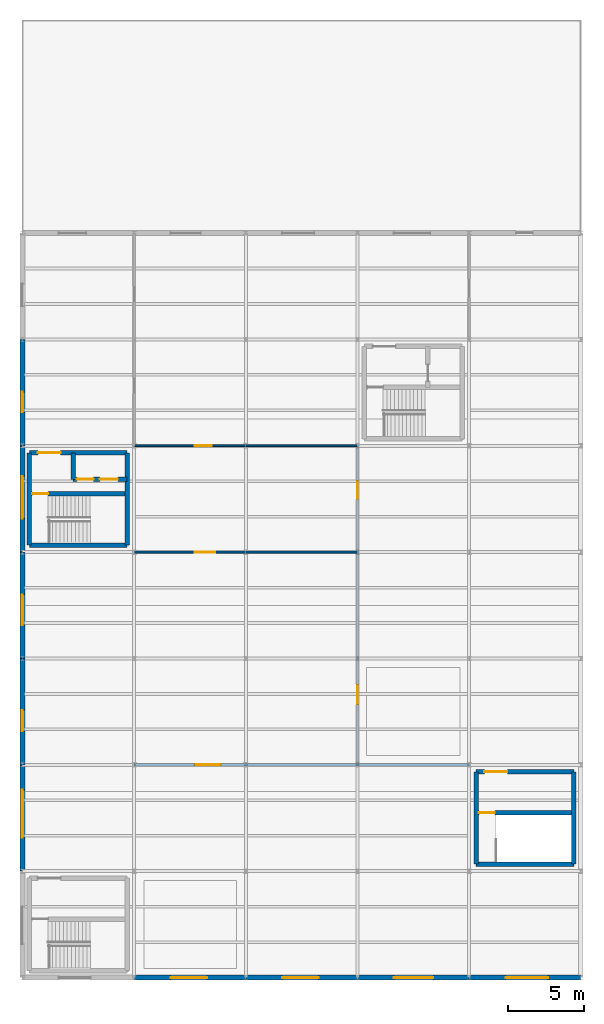
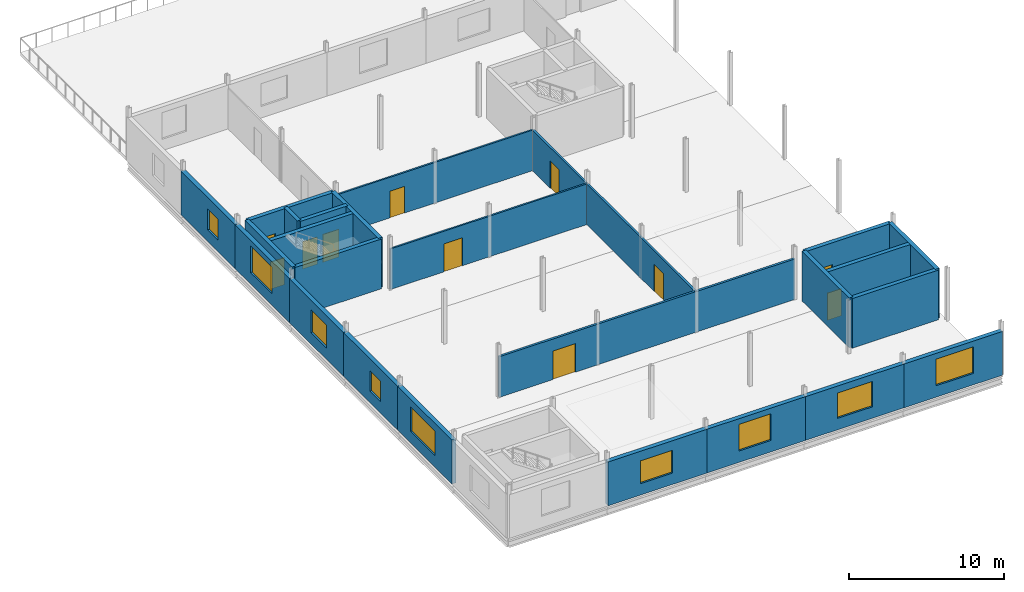
# One storey, part 7 of 9: 25 walls, 11 doors, 9 windows, 20 openings.
"""IFC4 building model written with IfcOpenShell, lengths in metres."""

from ifc_helpers import new_model, si_unit, direction, frame, frame_2d, origin, place, context, subcontext, project, spatial, rectangle, extrude, material, layer, layer_set, type_object, element, fill, save


model = new_model("IFC4")

# Units and contexts
model_context = context("Model", 3, precision=1e-05, world=origin(), true_north=direction((0.0, 1.0)))
body_context = subcontext(model_context, "Body", "Model", "MODEL_VIEW")
ifc_project = project(units=[si_unit("LENGTHUNIT", "METRE"), si_unit("AREAUNIT", "SQUARE_METRE"), si_unit("VOLUMEUNIT", "CUBIC_METRE"), si_unit("PLANEANGLEUNIT", "RADIAN"), si_unit("MASSUNIT", "GRAM", prefix="KILO")], contexts=[model_context])

# Site, building, storey
site_placement = place(None, origin())
site = spatial("IfcSite", under=ifc_project, at=site_placement, CompositionType="ELEMENT")
building_placement = place(site_placement, origin())
building = spatial("IfcBuilding", under=site, at=building_placement, Name="Kazenagashi Tramway Depot", CompositionType="ELEMENT")
storey_placement = place(building_placement, frame((0.0, 0.0, 15.3)))
storey = spatial("IfcBuildingStorey", under=building, at=storey_placement, Name="L04", CompositionType="ELEMENT", Elevation=15.3)

# Wall, opening, window
ifc_material_1 = material(Name="Clay Brick Masonry JIS R 1250 Class 1 (20 MPa)", Category="masonry")
ifc_layer_1 = layer(ifc_material_1, 0.32)
ifc_layer_set_1 = layer_set([ifc_layer_1], Name="Clay Brick Masonry JIS R 1250 Class 1 (20 MPa)")
wall_type_1 = type_object("IfcWallType", Name="W-BK3", PredefinedType="SOLIDWALL", material=ifc_layer_set_1)
wall_1_placement = place(storey_placement, frame((0.0, 7.0, 0.0), z_axis=(0.0, 0.0, 1.0), x_axis=(0.0, 1.0, 0.0)))
wall_1 = element("IfcWall", 1, at=wall_1_placement, inside=storey, type_object=wall_type_1, Name="Exterior Brick Wall W-BK3 EWALL-0207", PredefinedType="SOLIDWALL", context=body_context, shape_type="SweptSolid", body=[
    extrude(rectangle(XDim=7.0, YDim=0.32, at=frame_2d((3.5, 0.0))), origin(), (0.0, 0.0, 1.0), 3.45),
])
opening_1_placement = place(wall_1_placement, frame((2.2, 0.0, 0.9)))
opening_1 = element("IfcOpeningElement", 2, at=opening_1_placement, cuts=wall_1, Name="Opening WN-46", PredefinedType="OPENING", context=body_context, shape_type="SweptSolid", body=[
    extrude(rectangle(XDim=3.15, YDim=1.95, at=frame_2d((1.575, 0.975))), frame((0.0, 0.17, 0.0), z_axis=(0.0, -1.0, 0.0), x_axis=(1.0, 0.0, 0.0)), (0.0, 0.0, 1.0), 0.34),
])
ifc_material_2 = material(Name="Anodised Aluminium and Tempered Low-E Glass", Category="aluminium")
window_type_1 = type_object("IfcWindowType", Name="WN-46", PartitioningType="SINGLE_PANEL", PredefinedType="WINDOW", material=ifc_material_2)
window_1_placement = place(opening_1_placement, origin())
window_1 = element("IfcWindow", 3, at=window_1_placement, inside=storey, type_object=window_type_1, Name="Window WN-46 WIN-0190", OverallHeight=1.95, OverallWidth=3.15, PartitioningType="SINGLE_PANEL", PredefinedType="WINDOW", context=body_context, shape_type="SweptSolid", body=[
    extrude(rectangle(XDim=3.15, YDim=1.95, at=frame_2d((1.575, 0.975))), frame((0.0, 0.03, 0.0), z_axis=(0.0, -1.0, 0.0), x_axis=(1.0, 0.0, 0.0)), (0.0, 0.0, 1.0), 0.06),
])
fill(opening_1, window_1)

wall_2_placement = place(storey_placement, frame((0.0, 14.0, 0.0), z_axis=(0.0, 0.0, 1.0), x_axis=(0.0, 1.0, 0.0)))
wall_2 = element("IfcWall", 4, at=wall_2_placement, inside=storey, type_object=wall_type_1, Name="Exterior Brick Wall W-BK3 EWALL-0212", PredefinedType="SOLIDWALL", context=body_context, shape_type="SweptSolid", body=[
    extrude(rectangle(XDim=7.0, YDim=0.32, at=frame_2d((3.5, 0.0))), origin(), (0.0, 0.0, 1.0), 3.45),
])
opening_2_placement = place(wall_2_placement, frame((2.2, 0.0, 0.9)))
opening_2 = element("IfcOpeningElement", 5, at=opening_2_placement, cuts=wall_2, Name="Opening WN-02", PredefinedType="OPENING", context=body_context, shape_type="SweptSolid", body=[
    extrude(rectangle(XDim=1.4, YDim=1.6, at=frame_2d((0.7, 0.8))), frame((0.0, 0.17, 0.0), z_axis=(0.0, -1.0, 0.0), x_axis=(1.0, 0.0, 0.0)), (0.0, 0.0, 1.0), 0.34),
])
window_type_2 = type_object("IfcWindowType", Name="WN-02", PartitioningType="SINGLE_PANEL", PredefinedType="WINDOW", material=ifc_material_2)
window_2_placement = place(opening_2_placement, origin())
window_2 = element("IfcWindow", 6, at=window_2_placement, inside=storey, type_object=window_type_2, Name="Window WN-02 WIN-0194", OverallHeight=1.6, OverallWidth=1.4, PartitioningType="SINGLE_PANEL", PredefinedType="WINDOW", context=body_context, shape_type="SweptSolid", body=[
    extrude(rectangle(XDim=1.4, YDim=1.6, at=frame_2d((0.7, 0.8))), frame((0.0, 0.03, 0.0), z_axis=(0.0, -1.0, 0.0), x_axis=(1.0, 0.0, 0.0)), (0.0, 0.0, 1.0), 0.06),
])
fill(opening_2, window_2)

wall_3_placement = place(storey_placement, frame((0.0, 21.0, 0.0), z_axis=(0.0, 0.0, 1.0), x_axis=(0.0, 1.0, 0.0)))
wall_3 = element("IfcWall", 7, at=wall_3_placement, inside=storey, type_object=wall_type_1, Name="Exterior Brick Wall W-BK3 EWALL-0217", PredefinedType="SOLIDWALL", context=body_context, shape_type="SweptSolid", body=[
    extrude(rectangle(XDim=7.0, YDim=0.32, at=frame_2d((3.5, 0.0))), origin(), (0.0, 0.0, 1.0), 3.45),
])
opening_3_placement = place(wall_3_placement, frame((2.2, 0.0, 0.9)))
opening_3 = element("IfcOpeningElement", 8, at=opening_3_placement, cuts=wall_3, Name="Opening WN-07", PredefinedType="OPENING", context=body_context, shape_type="SweptSolid", body=[
    extrude(rectangle(XDim=2.0, YDim=1.8, at=frame_2d((1.0, 0.9))), frame((0.0, 0.17, 0.0), z_axis=(0.0, -1.0, 0.0), x_axis=(1.0, 0.0, 0.0)), (0.0, 0.0, 1.0), 0.34),
])
window_type_3 = type_object("IfcWindowType", Name="WN-07", PartitioningType="SINGLE_PANEL", PredefinedType="WINDOW", material=ifc_material_2)
window_3_placement = place(opening_3_placement, origin())
window_3 = element("IfcWindow", 9, at=window_3_placement, inside=storey, type_object=window_type_3, Name="Window WN-07 WIN-0199", OverallHeight=1.8, OverallWidth=2.0, PartitioningType="SINGLE_PANEL", PredefinedType="WINDOW", context=body_context, shape_type="SweptSolid", body=[
    extrude(rectangle(XDim=2.0, YDim=1.8, at=frame_2d((1.0, 0.9))), frame((0.0, 0.03, 0.0), z_axis=(0.0, -1.0, 0.0), x_axis=(1.0, 0.0, 0.0)), (0.0, 0.0, 1.0), 0.06),
])
fill(opening_3, window_3)

wall_4_placement = place(storey_placement, frame((0.0, 28.0, 0.0), z_axis=(0.0, 0.0, 1.0), x_axis=(0.0, 1.0, 0.0)))
wall_4 = element("IfcWall", 10, at=wall_4_placement, inside=storey, type_object=wall_type_1, Name="Exterior Brick Wall W-BK3 EWALL-0222", PredefinedType="SOLIDWALL", context=body_context, shape_type="SweptSolid", body=[
    extrude(rectangle(XDim=7.0, YDim=0.32, at=frame_2d((3.5, 0.0))), origin(), (0.0, 0.0, 1.0), 3.45),
])
opening_4_placement = place(wall_4_placement, frame((2.2, 0.0, 0.9)))
opening_4 = element("IfcOpeningElement", 11, at=opening_4_placement, cuts=wall_4, Name="Opening WN-12", PredefinedType="OPENING", context=body_context, shape_type="SweptSolid", body=[
    extrude(rectangle(XDim=2.8, YDim=2.1, at=frame_2d((1.4, 1.05))), frame((0.0, 0.17, 0.0), z_axis=(0.0, -1.0, 0.0), x_axis=(1.0, 0.0, 0.0)), (0.0, 0.0, 1.0), 0.34),
])
window_type_4 = type_object("IfcWindowType", Name="WN-12", PartitioningType="SINGLE_PANEL", PredefinedType="WINDOW", material=ifc_material_2)
window_4_placement = place(opening_4_placement, origin())
window_4 = element("IfcWindow", 12, at=window_4_placement, inside=storey, type_object=window_type_4, Name="Window WN-12 WIN-0204", OverallHeight=2.1, OverallWidth=2.8, PartitioningType="SINGLE_PANEL", PredefinedType="WINDOW", context=body_context, shape_type="SweptSolid", body=[
    extrude(rectangle(XDim=2.8, YDim=2.1, at=frame_2d((1.4, 1.05))), frame((0.0, 0.03, 0.0), z_axis=(0.0, -1.0, 0.0), x_axis=(1.0, 0.0, 0.0)), (0.0, 0.0, 1.0), 0.06),
])
fill(opening_4, window_4)

wall_5_placement = place(storey_placement, frame((0.0, 35.0, 0.0), z_axis=(0.0, 0.0, 1.0), x_axis=(0.0, 1.0, 0.0)))
wall_5 = element("IfcWall", 13, at=wall_5_placement, inside=storey, type_object=wall_type_1, Name="Exterior Brick Wall W-BK3 EWALL-0227", PredefinedType="SOLIDWALL", context=body_context, shape_type="SweptSolid", body=[
    extrude(rectangle(XDim=7.0, YDim=0.32, at=frame_2d((3.5, 0.0))), origin(), (0.0, 0.0, 1.0), 3.45),
])
opening_5_placement = place(wall_5_placement, frame((2.2, 0.0, 0.9)))
opening_5 = element("IfcOpeningElement", 14, at=opening_5_placement, cuts=wall_5, Name="Opening WN-17", PredefinedType="OPENING", context=body_context, shape_type="SweptSolid", body=[
    extrude(rectangle(XDim=1.35, YDim=1.65, at=frame_2d((0.675, 0.825))), frame((0.0, 0.17, 0.0), z_axis=(0.0, -1.0, 0.0), x_axis=(1.0, 0.0, 0.0)), (0.0, 0.0, 1.0), 0.34),
])
window_type_5 = type_object("IfcWindowType", Name="WN-17", PartitioningType="SINGLE_PANEL", PredefinedType="WINDOW", material=ifc_material_2)
window_5_placement = place(opening_5_placement, origin())
window_5 = element("IfcWindow", 15, at=window_5_placement, inside=storey, type_object=window_type_5, Name="Window WN-17 WIN-0209", OverallHeight=1.65, OverallWidth=1.35, PartitioningType="SINGLE_PANEL", PredefinedType="WINDOW", context=body_context, shape_type="SweptSolid", body=[
    extrude(rectangle(XDim=1.35, YDim=1.65, at=frame_2d((0.675, 0.825))), frame((0.0, 0.03, 0.0), z_axis=(0.0, -1.0, 0.0), x_axis=(1.0, 0.0, 0.0)), (0.0, 0.0, 1.0), 0.06),
])
fill(opening_5, window_5)

wall_6_placement = place(storey_placement, frame((7.35, 0.0, 0.0), z_axis=(0.0, 0.0, 1.0), x_axis=(1.0, 0.0, 0.0)))
wall_6 = element("IfcWall", 16, at=wall_6_placement, inside=storey, type_object=wall_type_1, Name="Exterior Brick Wall W-BK3 EWALL-0253", PredefinedType="SOLIDWALL", context=body_context, shape_type="SweptSolid", body=[
    extrude(rectangle(XDim=7.35, YDim=0.32, at=frame_2d((3.675, 0.0))), origin(), (0.0, 0.0, 1.0), 3.45),
])
opening_6_placement = place(wall_6_placement, frame((2.4, 0.0, 0.9)))
opening_6 = element("IfcOpeningElement", 17, at=opening_6_placement, cuts=wall_6, Name="Opening WN-09", PredefinedType="OPENING", context=body_context, shape_type="SweptSolid", body=[
    extrude(rectangle(XDim=2.4, YDim=1.8, at=frame_2d((1.2, 0.9))), frame((0.0, 0.17, 0.0), z_axis=(0.0, -1.0, 0.0), x_axis=(1.0, 0.0, 0.0)), (0.0, 0.0, 1.0), 0.34),
])
window_type_6 = type_object("IfcWindowType", Name="WN-09", PartitioningType="SINGLE_PANEL", PredefinedType="WINDOW", material=ifc_material_2)
window_6_placement = place(opening_6_placement, origin())
window_6 = element("IfcWindow", 18, at=window_6_placement, inside=storey, type_object=window_type_6, Name="Window WN-09 WIN-0223", OverallHeight=1.8, OverallWidth=2.4, PartitioningType="SINGLE_PANEL", PredefinedType="WINDOW", context=body_context, shape_type="SweptSolid", body=[
    extrude(rectangle(XDim=2.4, YDim=1.8, at=frame_2d((1.2, 0.9))), frame((0.0, 0.03, 0.0), z_axis=(0.0, -1.0, 0.0), x_axis=(1.0, 0.0, 0.0)), (0.0, 0.0, 1.0), 0.06),
])
fill(opening_6, window_6)

wall_7_placement = place(storey_placement, frame((14.7, 0.0, 0.0), z_axis=(0.0, 0.0, 1.0), x_axis=(1.0, 0.0, 0.0)))
wall_7 = element("IfcWall", 19, at=wall_7_placement, inside=storey, type_object=wall_type_1, Name="Exterior Brick Wall W-BK3 EWALL-0256", PredefinedType="SOLIDWALL", context=body_context, shape_type="SweptSolid", body=[
    extrude(rectangle(XDim=7.35, YDim=0.32, at=frame_2d((3.675, 0.0))), origin(), (0.0, 0.0, 1.0), 3.45),
])
opening_7_placement = place(wall_7_placement, frame((2.4, 0.0, 0.9)))
opening_7 = element("IfcOpeningElement", 20, at=opening_7_placement, cuts=wall_7, Name="Opening WN-10", PredefinedType="OPENING", context=body_context, shape_type="SweptSolid", body=[
    extrude(rectangle(XDim=2.4, YDim=2.1, at=frame_2d((1.2, 1.05))), frame((0.0, 0.17, 0.0), z_axis=(0.0, -1.0, 0.0), x_axis=(1.0, 0.0, 0.0)), (0.0, 0.0, 1.0), 0.34),
])
window_type_7 = type_object("IfcWindowType", Name="WN-10", PartitioningType="SINGLE_PANEL", PredefinedType="WINDOW", material=ifc_material_2)
window_7_placement = place(opening_7_placement, origin())
window_7 = element("IfcWindow", 21, at=window_7_placement, inside=storey, type_object=window_type_7, Name="Window WN-10 WIN-0226", OverallHeight=2.1, OverallWidth=2.4, PartitioningType="SINGLE_PANEL", PredefinedType="WINDOW", context=body_context, shape_type="SweptSolid", body=[
    extrude(rectangle(XDim=2.4, YDim=2.1, at=frame_2d((1.2, 1.05))), frame((0.0, 0.03, 0.0), z_axis=(0.0, -1.0, 0.0), x_axis=(1.0, 0.0, 0.0)), (0.0, 0.0, 1.0), 0.06),
])
fill(opening_7, window_7)

wall_8_placement = place(storey_placement, frame((22.05, 0.0, 0.0), z_axis=(0.0, 0.0, 1.0), x_axis=(1.0, 0.0, 0.0)))
wall_8 = element("IfcWall", 22, at=wall_8_placement, inside=storey, type_object=wall_type_1, Name="Exterior Brick Wall W-BK3 EWALL-0259", PredefinedType="SOLIDWALL", context=body_context, shape_type="SweptSolid", body=[
    extrude(rectangle(XDim=7.35, YDim=0.32, at=frame_2d((3.675, 0.0))), origin(), (0.0, 0.0, 1.0), 3.45),
])
opening_8_placement = place(wall_8_placement, frame((2.4, 0.0, 0.9)))
opening_8 = element("IfcOpeningElement", 23, at=opening_8_placement, cuts=wall_8, Name="Opening WN-11", PredefinedType="OPENING", context=body_context, shape_type="SweptSolid", body=[
    extrude(rectangle(XDim=2.6, YDim=2.0, at=frame_2d((1.3, 1.0))), frame((0.0, 0.17, 0.0), z_axis=(0.0, -1.0, 0.0), x_axis=(1.0, 0.0, 0.0)), (0.0, 0.0, 1.0), 0.34),
])
window_type_8 = type_object("IfcWindowType", Name="WN-11", PartitioningType="SINGLE_PANEL", PredefinedType="WINDOW", material=ifc_material_2)
window_8_placement = place(opening_8_placement, origin())
window_8 = element("IfcWindow", 24, at=window_8_placement, inside=storey, type_object=window_type_8, Name="Window WN-11 WIN-0229", OverallHeight=2.0, OverallWidth=2.6, PartitioningType="SINGLE_PANEL", PredefinedType="WINDOW", context=body_context, shape_type="SweptSolid", body=[
    extrude(rectangle(XDim=2.6, YDim=2.0, at=frame_2d((1.3, 1.0))), frame((0.0, 0.03, 0.0), z_axis=(0.0, -1.0, 0.0), x_axis=(1.0, 0.0, 0.0)), (0.0, 0.0, 1.0), 0.06),
])
fill(opening_8, window_8)

wall_9_placement = place(storey_placement, frame((29.4, 0.0, 0.0), z_axis=(0.0, 0.0, 1.0), x_axis=(1.0, 0.0, 0.0)))
wall_9 = element("IfcWall", 25, at=wall_9_placement, inside=storey, type_object=wall_type_1, Name="Exterior Brick Wall W-BK3 EWALL-0262", PredefinedType="SOLIDWALL", context=body_context, shape_type="SweptSolid", body=[
    extrude(rectangle(XDim=7.35, YDim=0.32, at=frame_2d((3.675, 0.0))), origin(), (0.0, 0.0, 1.0), 3.45),
])
opening_9_placement = place(wall_9_placement, frame((2.4, 0.0, 0.9)))
opening_9 = element("IfcOpeningElement", 26, at=opening_9_placement, cuts=wall_9, Name="Opening WN-12", PredefinedType="OPENING", context=body_context, shape_type="SweptSolid", body=[
    extrude(rectangle(XDim=2.8, YDim=2.1, at=frame_2d((1.4, 1.05))), frame((0.0, 0.17, 0.0), z_axis=(0.0, -1.0, 0.0), x_axis=(1.0, 0.0, 0.0)), (0.0, 0.0, 1.0), 0.34),
])
window_9_placement = place(opening_9_placement, origin())
window_9 = element("IfcWindow", 27, at=window_9_placement, inside=storey, type_object=window_type_4, Name="Window WN-12 WIN-0231", OverallHeight=2.1, OverallWidth=2.8, PartitioningType="SINGLE_PANEL", PredefinedType="WINDOW", context=body_context, shape_type="SweptSolid", body=[
    extrude(rectangle(XDim=2.8, YDim=2.1, at=frame_2d((1.4, 1.05))), frame((0.0, 0.03, 0.0), z_axis=(0.0, -1.0, 0.0), x_axis=(1.0, 0.0, 0.0)), (0.0, 0.0, 1.0), 0.06),
])
fill(opening_9, window_9)

# Wall, openings, doors
ifc_material_3 = material(Name="Gypsum Plasterboard Partition", Category="gypsum")
ifc_layer_2 = layer(ifc_material_3, 0.15)
ifc_layer_set_2 = layer_set([ifc_layer_2], Name="Gypsum Plasterboard Partition")
wall_type_2 = type_object("IfcWallType", Name="W-PT1", PredefinedType="PARTITIONING", material=ifc_layer_set_2)
wall_10_placement = place(storey_placement, frame((22.05, 14.0, 0.0), z_axis=(0.0, 0.0, 1.0), x_axis=(0.0, 1.0, 0.0)))
wall_10 = element("IfcWall", 28, at=wall_10_placement, inside=storey, type_object=wall_type_2, Name="Interior Partition W-PT1 IWALL-0284", PredefinedType="PARTITIONING", context=body_context, shape_type="SweptSolid", body=[
    extrude(rectangle(XDim=21.0, YDim=0.15, at=frame_2d((10.5, 0.0))), origin(), (0.0, 0.0, 1.0), 3.2),
])
opening_10_placement = place(wall_10_placement, frame((4.0, 0.0, 0.0)))
opening_10 = element("IfcOpeningElement", 29, at=opening_10_placement, cuts=wall_10, Name="Opening D-196", PredefinedType="OPENING", context=body_context, shape_type="SweptSolid", body=[
    extrude(rectangle(XDim=1.25, YDim=2.15, at=frame_2d((0.625, 1.075))), frame((0.0, 0.085, 0.0), z_axis=(0.0, -1.0, 0.0), x_axis=(1.0, 0.0, 0.0)), (0.0, 0.0, 1.0), 0.17),
])
opening_11_placement = place(wall_10_placement, frame((17.5, 0.0, 0.0)))
opening_11 = element("IfcOpeningElement", 30, at=opening_11_placement, cuts=wall_10, Name="Opening D-197", PredefinedType="OPENING", context=body_context, shape_type="SweptSolid", body=[
    extrude(rectangle(XDim=1.15, YDim=2.15, at=frame_2d((0.575, 1.075))), frame((0.0, 0.085, 0.0), z_axis=(0.0, -1.0, 0.0), x_axis=(1.0, 0.0, 0.0)), (0.0, 0.0, 1.0), 0.17),
])
ifc_material_4 = material(Name="Powder-Coated Steel Door", Category="steel")
door_type_1 = type_object("IfcDoorType", Name="DT-13", OperationType="NOTDEFINED", PredefinedType="DOOR", material=ifc_material_4)
door_1_placement = place(opening_11_placement, origin())
door_1 = element("IfcDoor", 31, at=door_1_placement, inside=storey, type_object=door_type_1, Name="Interior Door D-197", OperationType="SINGLE_SWING_RIGHT", OverallHeight=2.15, OverallWidth=1.15, PredefinedType="DOOR", context=body_context, shape_type="SweptSolid", body=[
    extrude(rectangle(XDim=1.15, YDim=2.15, at=frame_2d((0.575, 1.075))), frame((0.0, 0.025, 0.0), z_axis=(0.0, -1.0, 0.0), x_axis=(1.0, 0.0, 0.0)), (0.0, 0.0, 1.0), 0.05),
])
fill(opening_11, door_1)
door_type_2 = type_object("IfcDoorType", Name="DT-14", OperationType="NOTDEFINED", PredefinedType="DOOR", material=ifc_material_4)
door_2_placement = place(opening_10_placement, origin())
door_2 = element("IfcDoor", 32, at=door_2_placement, inside=storey, type_object=door_type_2, Name="Interior Door D-196", OperationType="SINGLE_SWING_LEFT", OverallHeight=2.15, OverallWidth=1.25, PredefinedType="DOOR", context=body_context, shape_type="SweptSolid", body=[
    extrude(rectangle(XDim=1.25, YDim=2.15, at=frame_2d((0.625, 1.075))), frame((0.0, 0.025, 0.0), z_axis=(0.0, -1.0, 0.0), x_axis=(1.0, 0.0, 0.0)), (0.0, 0.0, 1.0), 0.05),
])
fill(opening_10, door_2)

# Wall, opening, door
ifc_layer_3 = layer(ifc_material_3, 0.125)
ifc_layer_set_3 = layer_set([ifc_layer_3], Name="Gypsum Plasterboard Partition")
wall_type_3 = type_object("IfcWallType", Name="W-PT2", PredefinedType="PARTITIONING", material=ifc_layer_set_3)
wall_11_placement = place(storey_placement, frame((7.35, 28.0, 0.0), z_axis=(0.0, 0.0, 1.0), x_axis=(1.0, 0.0, 0.0)))
wall_11 = element("IfcWall", 33, at=wall_11_placement, inside=storey, type_object=wall_type_3, Name="Interior Partition W-PT2 IWALL-0285", PredefinedType="PARTITIONING", context=body_context, shape_type="SweptSolid", body=[
    extrude(rectangle(XDim=14.7, YDim=0.125, at=frame_2d((7.35, 0.0))), origin(), (0.0, 0.0, 1.0), 3.2),
])
opening_12_placement = place(wall_11_placement, frame((4.0, 0.0, 0.0)))
opening_12 = element("IfcOpeningElement", 34, at=opening_12_placement, cuts=wall_11, Name="Opening D-198", PredefinedType="OPENING", context=body_context, shape_type="SweptSolid", body=[
    extrude(rectangle(XDim=1.35, YDim=2.2, at=frame_2d((0.675, 1.1))), frame((0.0, 0.0725, 0.0), z_axis=(0.0, -1.0, 0.0), x_axis=(1.0, 0.0, 0.0)), (0.0, 0.0, 1.0), 0.145),
])
door_type_3 = type_object("IfcDoorType", Name="DT-15", OperationType="NOTDEFINED", PredefinedType="DOOR", material=ifc_material_4)
door_3_placement = place(opening_12_placement, origin())
door_3 = element("IfcDoor", 35, at=door_3_placement, inside=storey, type_object=door_type_3, Name="Interior Door D-198", OperationType="DOUBLE_DOOR_SINGLE_SWING", OverallHeight=2.2, OverallWidth=1.35, PredefinedType="DOOR", context=body_context, shape_type="SweptSolid", body=[
    extrude(rectangle(XDim=1.35, YDim=2.2, at=frame_2d((0.675, 1.1))), frame((0.0, 0.025, 0.0), z_axis=(0.0, -1.0, 0.0), x_axis=(1.0, 0.0, 0.0)), (0.0, 0.0, 1.0), 0.05),
])
fill(opening_12, door_3)

wall_12_placement = place(storey_placement, frame((7.35, 35.0, 0.0), z_axis=(0.0, 0.0, 1.0), x_axis=(1.0, 0.0, 0.0)))
wall_12 = element("IfcWall", 36, at=wall_12_placement, inside=storey, type_object=wall_type_3, Name="Interior Partition W-PT2 IWALL-0286", PredefinedType="PARTITIONING", context=body_context, shape_type="SweptSolid", body=[
    extrude(rectangle(XDim=14.7, YDim=0.125, at=frame_2d((7.35, 0.0))), origin(), (0.0, 0.0, 1.0), 3.2),
])
opening_13_placement = place(wall_12_placement, frame((4.0, 0.0, 0.0)))
opening_13 = element("IfcOpeningElement", 37, at=opening_13_placement, cuts=wall_12, Name="Opening D-199", PredefinedType="OPENING", context=body_context, shape_type="SweptSolid", body=[
    extrude(rectangle(XDim=1.1, YDim=2.1, at=frame_2d((0.55, 1.05))), frame((0.0, 0.0725, 0.0), z_axis=(0.0, -1.0, 0.0), x_axis=(1.0, 0.0, 0.0)), (0.0, 0.0, 1.0), 0.145),
])
door_type_4 = type_object("IfcDoorType", Name="DT-12", OperationType="NOTDEFINED", PredefinedType="DOOR", material=ifc_material_4)
door_4_placement = place(opening_13_placement, origin())
door_4 = element("IfcDoor", 38, at=door_4_placement, inside=storey, type_object=door_type_4, Name="Interior Door D-199", OperationType="SINGLE_SWING_RIGHT", OverallHeight=2.1, OverallWidth=1.1, PredefinedType="DOOR", context=body_context, shape_type="SweptSolid", body=[
    extrude(rectangle(XDim=1.1, YDim=2.1, at=frame_2d((0.55, 1.05))), frame((0.0, 0.025, 0.0), z_axis=(0.0, -1.0, 0.0), x_axis=(1.0, 0.0, 0.0)), (0.0, 0.0, 1.0), 0.05),
])
fill(opening_13, door_4)

ifc_layer_4 = layer(ifc_material_3, 0.165)
ifc_layer_set_4 = layer_set([ifc_layer_4], Name="Gypsum Plasterboard Partition")
wall_type_4 = type_object("IfcWallType", Name="W-PT7", PredefinedType="PARTITIONING", material=ifc_layer_set_4)
wall_13_placement = place(storey_placement, frame((7.35, 14.0, 0.0), z_axis=(0.0, 0.0, 1.0), x_axis=(1.0, 0.0, 0.0)))
wall_13 = element("IfcWall", 39, at=wall_13_placement, inside=storey, type_object=wall_type_4, Name="Interior Partition W-PT7 IWALL-0283", PredefinedType="PARTITIONING", context=body_context, shape_type="SweptSolid", body=[
    extrude(rectangle(XDim=22.05, YDim=0.165, at=frame_2d((11.025, 0.0))), origin(), (0.0, 0.0, 1.0), 3.2),
])
opening_14_placement = place(wall_13_placement, frame((4.0, 0.0, 0.0)))
opening_14 = element("IfcOpeningElement", 40, at=opening_14_placement, cuts=wall_13, Name="Opening D-195", PredefinedType="OPENING", context=body_context, shape_type="SweptSolid", body=[
    extrude(rectangle(XDim=1.7, YDim=2.25, at=frame_2d((0.85, 1.125))), frame((0.0, 0.0925, 0.0), z_axis=(0.0, -1.0, 0.0), x_axis=(1.0, 0.0, 0.0)), (0.0, 0.0, 1.0), 0.185),
])
door_type_5 = type_object("IfcDoorType", Name="DT-18", OperationType="NOTDEFINED", PredefinedType="DOOR", material=ifc_material_4)
door_5_placement = place(opening_14_placement, origin())
door_5 = element("IfcDoor", 41, at=door_5_placement, inside=storey, type_object=door_type_5, Name="Interior Door D-195", OperationType="DOUBLE_DOOR_SINGLE_SWING", OverallHeight=2.25, OverallWidth=1.7, PredefinedType="DOOR", context=body_context, shape_type="SweptSolid", body=[
    extrude(rectangle(XDim=1.7, YDim=2.25, at=frame_2d((0.85, 1.125))), frame((0.0, 0.025, 0.0), z_axis=(0.0, -1.0, 0.0), x_axis=(1.0, 0.0, 0.0)), (0.0, 0.0, 1.0), 0.05),
])
fill(opening_14, door_5)

# Wall
ifc_material_5 = material(Name="Concrete Fc36", Category="concrete")
ifc_layer_5 = layer(ifc_material_5, 0.3)
ifc_layer_set_5 = layer_set([ifc_layer_5], Name="Concrete Fc36")
wall_type_5 = type_object("IfcWallType", Name="W-RC1", PredefinedType="SHEAR", material=ifc_layer_set_5)
wall_14_placement = place(storey_placement, frame((0.46, 28.46, 0.0), z_axis=(0.0, 0.0, 1.0), x_axis=(1.0, 0.0, 0.0)))
element("IfcWall", 42, at=wall_14_placement, inside=storey, type_object=wall_type_5, Name="Core Shear Wall W-RC1 IWALL-0034", PredefinedType="SHEAR", context=body_context, shape_type="SweptSolid", body=[
    extrude(rectangle(XDim=6.43, YDim=0.3, at=frame_2d((3.215, 0.0))), origin(), (0.0, 0.0, 1.0), 3.92),
])

# Wall, opening, door
wall_15_placement = place(storey_placement, frame((0.46, 34.54, 0.0), z_axis=(0.0, 0.0, 1.0), x_axis=(1.0, 0.0, 0.0)))
wall_15 = element("IfcWall", 43, at=wall_15_placement, inside=storey, type_object=wall_type_5, Name="Core Shear Wall W-RC1 IWALL-0035", PredefinedType="SHEAR", context=body_context, shape_type="SweptSolid", body=[
    extrude(rectangle(XDim=6.43, YDim=0.3, at=frame_2d((3.215, 0.0))), origin(), (0.0, 0.0, 1.0), 3.92),
])
opening_15_placement = place(wall_15_placement, frame((0.55, 0.0, 0.0)))
opening_15 = element("IfcOpeningElement", 44, at=opening_15_placement, cuts=wall_15, Name="Opening D-058", PredefinedType="OPENING", context=body_context, shape_type="SweptSolid", body=[
    extrude(rectangle(XDim=1.5, YDim=2.2, at=frame_2d((0.75, 1.1))), frame((0.0, 0.16, 0.0), z_axis=(0.0, -1.0, 0.0), x_axis=(1.0, 0.0, 0.0)), (0.0, 0.0, 1.0), 0.32),
])
ifc_material_6 = material(Name="Galvanised Fire-Rated Steel Door", Category="steel")
door_type_6 = type_object("IfcDoorType", Name="DT-05", OperationType="NOTDEFINED", PredefinedType="DOOR", material=ifc_material_6)
door_6_placement = place(opening_15_placement, origin())
door_6 = element("IfcDoor", 45, at=door_6_placement, inside=storey, type_object=door_type_6, Name="Interior Door D-058", OperationType="DOUBLE_DOOR_SINGLE_SWING", OverallHeight=2.2, OverallWidth=1.5, PredefinedType="DOOR", context=body_context, shape_type="SweptSolid", body=[
    extrude(rectangle(XDim=1.5, YDim=2.2, at=frame_2d((0.75, 1.1))), frame((0.0, 0.025, 0.0), z_axis=(0.0, -1.0, 0.0), x_axis=(1.0, 0.0, 0.0)), (0.0, 0.0, 1.0), 0.05),
])
fill(opening_15, door_6)

# Walls
for number, where, z_axis, x_axis, name in (
    (46, (0.46, 28.46, 0.0), (0.0, 0.0, 1.0), (0.0, 1.0, 0.0), "Core Shear Wall W-RC1 IWALL-0036"),
    (47, (6.89, 28.46, 0.0), (0.0, 0.0, 1.0), (0.0, 1.0, 0.0), "Core Shear Wall W-RC1 IWALL-0037"),
):
    element("IfcWall", number, at=place(storey_placement, frame(where, z_axis=z_axis, x_axis=x_axis)), inside=storey, type_object=wall_type_5, Name=name, PredefinedType="SHEAR", context=body_context, shape_type="SweptSolid", body=[
        extrude(rectangle(XDim=6.08, YDim=0.3, at=frame_2d((3.04, 0.0))), origin(), (0.0, 0.0, 1.0), 3.92),
    ])

# Wall, opening, door
wall_16_placement = place(storey_placement, frame((0.46, 31.85, 0.0), z_axis=(0.0, 0.0, 1.0), x_axis=(1.0, 0.0, 0.0)))
wall_16 = element("IfcWall", 48, at=wall_16_placement, inside=storey, type_object=wall_type_5, Name="Core Shear Wall W-RC1 IWALL-0038", PredefinedType="SHEAR", context=body_context, shape_type="SweptSolid", body=[
    extrude(rectangle(XDim=6.43, YDim=0.3, at=frame_2d((3.215, 0.0))), origin(), (0.0, 0.0, 1.0), 3.92),
])
opening_16_placement = place(wall_16_placement, frame((0.185, 0.0, 0.0)))
opening_16 = element("IfcOpeningElement", 49, at=opening_16_placement, cuts=wall_16, Name="Opening D-057", PredefinedType="OPENING", context=body_context, shape_type="SweptSolid", body=[
    extrude(rectangle(XDim=1.05, YDim=2.15, at=frame_2d((0.525, 1.075))), frame((0.0, 0.16, 0.0), z_axis=(0.0, -1.0, 0.0), x_axis=(1.0, 0.0, 0.0)), (0.0, 0.0, 1.0), 0.32),
])
door_type_7 = type_object("IfcDoorType", Name="DT-07", OperationType="NOTDEFINED", PredefinedType="DOOR", material=ifc_material_6)
door_7_placement = place(opening_16_placement, origin())
door_7 = element("IfcDoor", 50, at=door_7_placement, inside=storey, type_object=door_type_7, Name="Interior Door D-057", OperationType="SINGLE_SWING_RIGHT", OverallHeight=2.15, OverallWidth=1.05, PredefinedType="DOOR", context=body_context, shape_type="SweptSolid", body=[
    extrude(rectangle(XDim=1.05, YDim=2.15, at=frame_2d((0.525, 1.075))), frame((0.0, 0.025, 0.0), z_axis=(0.0, -1.0, 0.0), x_axis=(1.0, 0.0, 0.0)), (0.0, 0.0, 1.0), 0.05),
])
fill(opening_16, door_7)

# Wall
wall_17_placement = place(storey_placement, frame((3.34, 32.79, 0.0), z_axis=(0.0, 0.0, 1.0), x_axis=(0.0, 1.0, 0.0)))
element("IfcWall", 51, at=wall_17_placement, inside=storey, type_object=wall_type_5, Name="Core Shear Wall W-RC1 IWALL-0039", PredefinedType="SHEAR", context=body_context, shape_type="SweptSolid", body=[
    extrude(rectangle(XDim=1.75, YDim=0.3, at=frame_2d((0.875, 0.0))), origin(), (0.0, 0.0, 1.0), 3.92),
])

# Wall, openings, doors
wall_18_placement = place(storey_placement, frame((3.34, 32.79, 0.0), z_axis=(0.0, 0.0, 1.0), x_axis=(1.0, 0.0, 0.0)))
wall_18 = element("IfcWall", 52, at=wall_18_placement, inside=storey, type_object=wall_type_5, Name="Core Shear Wall W-RC1 IWALL-0040", PredefinedType="SHEAR", context=body_context, shape_type="SweptSolid", body=[
    extrude(rectangle(XDim=3.55, YDim=0.3, at=frame_2d((1.775, 0.0))), origin(), (0.0, 0.0, 1.0), 3.92),
])
opening_17_placement = place(wall_18_placement, frame((0.25, 0.0, 0.0)))
opening_17 = element("IfcOpeningElement", 53, at=opening_17_placement, cuts=wall_18, Name="Opening LD-07", PredefinedType="OPENING", context=body_context, shape_type="SweptSolid", body=[
    extrude(rectangle(XDim=1.1, YDim=2.15, at=frame_2d((0.55, 1.075))), frame((0.0, 0.16, 0.0), z_axis=(0.0, -1.0, 0.0), x_axis=(1.0, 0.0, 0.0)), (0.0, 0.0, 1.0), 0.32),
])
opening_18_placement = place(wall_18_placement, frame((1.75, 0.0, 0.0)))
opening_18 = element("IfcOpeningElement", 54, at=opening_18_placement, cuts=wall_18, Name="Opening LD-08", PredefinedType="OPENING", context=body_context, shape_type="SweptSolid", body=[
    extrude(rectangle(XDim=1.2, YDim=2.2, at=frame_2d((0.6, 1.1))), frame((0.0, 0.16, 0.0), z_axis=(0.0, -1.0, 0.0), x_axis=(1.0, 0.0, 0.0)), (0.0, 0.0, 1.0), 0.32),
])
ifc_material_7 = material(Name="Brushed Stainless Steel Landing Door", Category="steel")
door_type_8 = type_object("IfcDoorType", Name="DT-29", OperationType="NOTDEFINED", PredefinedType="DOOR", material=ifc_material_7)
door_8_placement = place(opening_17_placement, origin())
door_8 = element("IfcDoor", 55, at=door_8_placement, inside=storey, type_object=door_type_8, Name="Lift Sliding Landing Door LD-07", OperationType="SLIDING_TO_LEFT", OverallHeight=2.15, OverallWidth=1.1, PredefinedType="DOOR", context=body_context, shape_type="SweptSolid", body=[
    extrude(rectangle(XDim=1.1, YDim=2.15, at=frame_2d((0.55, 1.075))), frame((0.0, 0.025, 0.0), z_axis=(0.0, -1.0, 0.0), x_axis=(1.0, 0.0, 0.0)), (0.0, 0.0, 1.0), 0.05),
])
fill(opening_17, door_8)
door_type_9 = type_object("IfcDoorType", Name="DT-30", OperationType="NOTDEFINED", PredefinedType="DOOR", material=ifc_material_7)
door_9_placement = place(opening_18_placement, origin())
door_9 = element("IfcDoor", 56, at=door_9_placement, inside=storey, type_object=door_type_9, Name="Lift Sliding Landing Door LD-08", OperationType="SLIDING_TO_RIGHT", OverallHeight=2.2, OverallWidth=1.2, PredefinedType="DOOR", context=body_context, shape_type="SweptSolid", body=[
    extrude(rectangle(XDim=1.2, YDim=2.2, at=frame_2d((0.6, 1.1))), frame((0.0, 0.025, 0.0), z_axis=(0.0, -1.0, 0.0), x_axis=(1.0, 0.0, 0.0)), (0.0, 0.0, 1.0), 0.05),
])
fill(opening_18, door_9)

# Wall
wall_19_placement = place(storey_placement, frame((29.86, 7.46, 0.0), z_axis=(0.0, 0.0, 1.0), x_axis=(1.0, 0.0, 0.0)))
element("IfcWall", 57, at=wall_19_placement, inside=storey, type_object=wall_type_5, Name="Core Shear Wall W-RC1 IWALL-0093", PredefinedType="SHEAR", context=body_context, shape_type="SweptSolid", body=[
    extrude(rectangle(XDim=6.43, YDim=0.3, at=frame_2d((3.215, 0.0))), origin(), (0.0, 0.0, 1.0), 3.92),
])

# Wall, opening, door
wall_20_placement = place(storey_placement, frame((29.86, 13.54, 0.0), z_axis=(0.0, 0.0, 1.0), x_axis=(1.0, 0.0, 0.0)))
wall_20 = element("IfcWall", 58, at=wall_20_placement, inside=storey, type_object=wall_type_5, Name="Core Shear Wall W-RC1 IWALL-0094", PredefinedType="SHEAR", context=body_context, shape_type="SweptSolid", body=[
    extrude(rectangle(XDim=6.43, YDim=0.3, at=frame_2d((3.215, 0.0))), origin(), (0.0, 0.0, 1.0), 3.92),
])
opening_19_placement = place(wall_20_placement, frame((0.55, 0.0, 0.0)))
opening_19 = element("IfcOpeningElement", 59, at=opening_19_placement, cuts=wall_20, Name="Opening D-078", PredefinedType="OPENING", context=body_context, shape_type="SweptSolid", body=[
    extrude(rectangle(XDim=1.5, YDim=2.2, at=frame_2d((0.75, 1.1))), frame((0.0, 0.16, 0.0), z_axis=(0.0, -1.0, 0.0), x_axis=(1.0, 0.0, 0.0)), (0.0, 0.0, 1.0), 0.32),
])
door_10_placement = place(opening_19_placement, origin())
door_10 = element("IfcDoor", 60, at=door_10_placement, inside=storey, type_object=door_type_6, Name="Interior Door D-078", OperationType="DOUBLE_DOOR_SINGLE_SWING", OverallHeight=2.2, OverallWidth=1.5, PredefinedType="DOOR", context=body_context, shape_type="SweptSolid", body=[
    extrude(rectangle(XDim=1.5, YDim=2.2, at=frame_2d((0.75, 1.1))), frame((0.0, 0.025, 0.0), z_axis=(0.0, -1.0, 0.0), x_axis=(1.0, 0.0, 0.0)), (0.0, 0.0, 1.0), 0.05),
])
fill(opening_19, door_10)

# Walls
for number, where, z_axis, x_axis, name in (
    (61, (29.86, 7.46, 0.0), (0.0, 0.0, 1.0), (0.0, 1.0, 0.0), "Core Shear Wall W-RC1 IWALL-0095"),
    (62, (36.29, 7.46, 0.0), (0.0, 0.0, 1.0), (0.0, 1.0, 0.0), "Core Shear Wall W-RC1 IWALL-0096"),
):
    element("IfcWall", number, at=place(storey_placement, frame(where, z_axis=z_axis, x_axis=x_axis)), inside=storey, type_object=wall_type_5, Name=name, PredefinedType="SHEAR", context=body_context, shape_type="SweptSolid", body=[
        extrude(rectangle(XDim=6.08, YDim=0.3, at=frame_2d((3.04, 0.0))), origin(), (0.0, 0.0, 1.0), 3.92),
    ])

# Wall, opening, door
wall_21_placement = place(storey_placement, frame((29.86, 10.85, 0.0), z_axis=(0.0, 0.0, 1.0), x_axis=(1.0, 0.0, 0.0)))
wall_21 = element("IfcWall", 63, at=wall_21_placement, inside=storey, type_object=wall_type_5, Name="Core Shear Wall W-RC1 IWALL-0097", PredefinedType="SHEAR", context=body_context, shape_type="SweptSolid", body=[
    extrude(rectangle(XDim=6.43, YDim=0.3, at=frame_2d((3.215, 0.0))), origin(), (0.0, 0.0, 1.0), 3.92),
])
opening_20_placement = place(wall_21_placement, frame((0.185, 0.0, 0.0)))
opening_20 = element("IfcOpeningElement", 64, at=opening_20_placement, cuts=wall_21, Name="Opening D-077", PredefinedType="OPENING", context=body_context, shape_type="SweptSolid", body=[
    extrude(rectangle(XDim=1.05, YDim=2.15, at=frame_2d((0.525, 1.075))), frame((0.0, 0.16, 0.0), z_axis=(0.0, -1.0, 0.0), x_axis=(1.0, 0.0, 0.0)), (0.0, 0.0, 1.0), 0.32),
])
door_11_placement = place(opening_20_placement, origin())
door_11 = element("IfcDoor", 65, at=door_11_placement, inside=storey, type_object=door_type_7, Name="Interior Door D-077", OperationType="SINGLE_SWING_RIGHT", OverallHeight=2.15, OverallWidth=1.05, PredefinedType="DOOR", context=body_context, shape_type="SweptSolid", body=[
    extrude(rectangle(XDim=1.05, YDim=2.15, at=frame_2d((0.525, 1.075))), frame((0.0, 0.025, 0.0), z_axis=(0.0, -1.0, 0.0), x_axis=(1.0, 0.0, 0.0)), (0.0, 0.0, 1.0), 0.05),
])
fill(opening_20, door_11)

save(model, "model.ifc")
